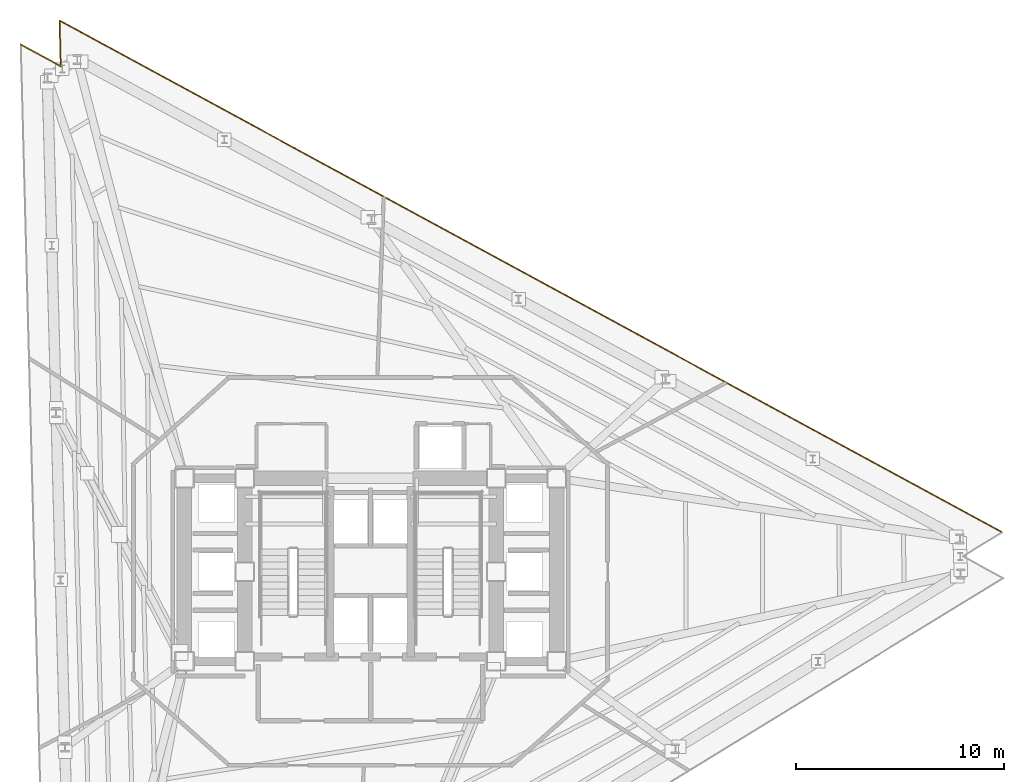
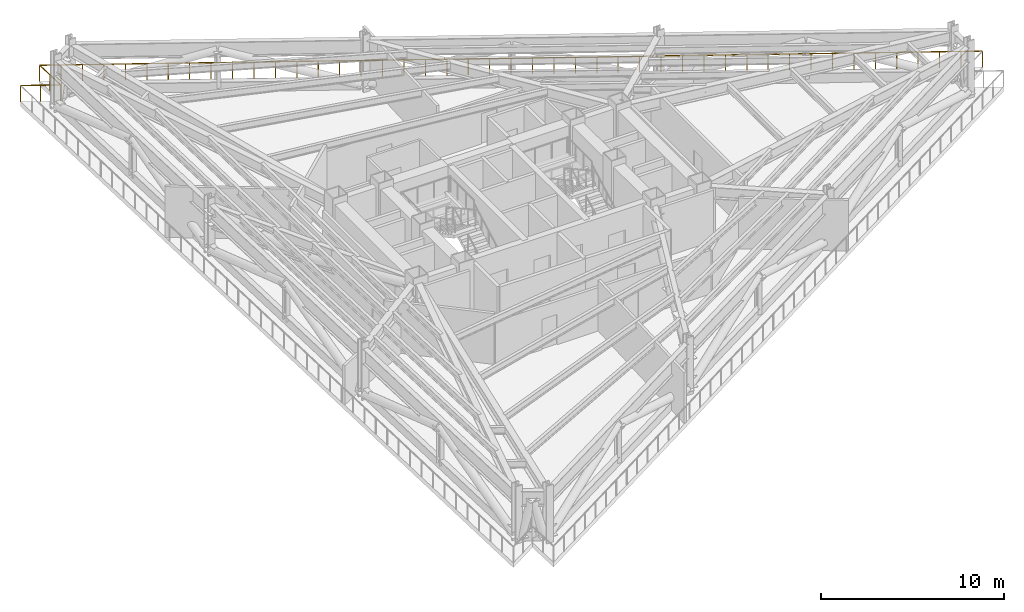
# One storey, part 10 of 10: 3 railings.
"""IFC4 building model written with IfcOpenShell, lengths in metres."""

from ifc_helpers import new_model, si_unit, direction, frame, origin, origin_2d, place, context, subcontext, project, spatial, rectangle, extrude, material, layer, layer_set, type_object, element, save


model = new_model("IFC4")

# Units and contexts
model_context = context("Model", 3, precision=1e-05, world=origin(), true_north=direction((0.0, 1.0)))
body_context = subcontext(model_context, "Body", "Model", "MODEL_VIEW")
ifc_project = project(units=[si_unit("LENGTHUNIT", "METRE"), si_unit("AREAUNIT", "SQUARE_METRE"), si_unit("VOLUMEUNIT", "CUBIC_METRE"), si_unit("PLANEANGLEUNIT", "RADIAN"), si_unit("MASSUNIT", "GRAM", prefix="KILO")], contexts=[model_context])

# Site, building, storey
site_placement = place(None, origin())
site = spatial("IfcSite", under=ifc_project, at=site_placement, CompositionType="ELEMENT")
building_placement = place(site_placement, origin())
building = spatial("IfcBuilding", under=site, at=building_placement, Name="Rocaltana Carrier Exchange", CompositionType="ELEMENT")
storey_placement = place(building_placement, frame((0.0, 0.0, 45.760009765625)))
storey = spatial("IfcBuildingStorey", under=building, at=storey_placement, Name="L14", CompositionType="ELEMENT", Elevation=45.760009765625)

# Railings
ifc_material = material(Name="Powder-Coated Aluminium 6063-T6", Category="aluminium")
ifc_layer = layer(ifc_material, 0.06005859375)
ifc_layer_set = layer_set([ifc_layer], Name="Powder-Coated Aluminium 6063-T6")
railing_type = type_object("IfcRailingType", Name="Wind-Floor & Terrace Perimeter Guardrail 1100", PredefinedType="GUARDRAIL", material=ifc_layer_set)
railing_1_placement = place(storey_placement, frame((30.38720703125, 1.89599609375, 0.0)))
element("IfcRailing", 1, at=railing_1_placement, inside=storey, type_object=railing_type, Name="L14 Wind Perimeter Guardrail 3", PredefinedType="GUARDRAIL", context=body_context, shape_type="SweptSolid", body=[
    extrude(rectangle(XDim=0.048095703125, YDim=0.048095703125, at=origin_2d()), frame((0.0, 0.0, 1.076171875), z_axis=(-0.878815395678, 0.477161922538, 0.0), x_axis=(-0.477161922538, -0.878815395678, 0.0)), (0.0, 0.0, 1.0), 51.60009765625),
    extrude(rectangle(XDim=0.0419921875, YDim=0.0419921875, at=origin_2d()), origin(), (0.0, 0.0, 1.0), 1.052001953125),
    extrude(rectangle(XDim=0.0419921875, YDim=0.0419921875, at=origin_2d()), frame((-1.030517578125, 0.5595703125, 0.0)), (0.0, 0.0, 1.0), 1.052001953125),
    extrude(rectangle(XDim=0.0419921875, YDim=0.0419921875, at=origin_2d()), frame((-2.061279296875, 1.119140625, 0.0)), (0.0, 0.0, 1.0), 1.052001953125),
    extrude(rectangle(XDim=0.0419921875, YDim=0.0419921875, at=origin_2d()), frame((-3.091796875, 1.6787109375, 0.0)), (0.0, 0.0, 1.0), 1.052001953125),
    extrude(rectangle(XDim=0.0419921875, YDim=0.0419921875, at=origin_2d()), frame((-4.12255859375, 2.23828125, 0.0)), (0.0, 0.0, 1.0), 1.052001953125),
    extrude(rectangle(XDim=0.0419921875, YDim=0.0419921875, at=origin_2d()), frame((-5.153076171875, 2.7978515625, 0.0)), (0.0, 0.0, 1.0), 1.052001953125),
    extrude(rectangle(XDim=0.0419921875, YDim=0.0419921875, at=origin_2d()), frame((-6.18359375, 3.357421875, 0.0)), (0.0, 0.0, 1.0), 1.052001953125),
    extrude(rectangle(XDim=0.0419921875, YDim=0.0419921875, at=origin_2d()), frame((-7.21435546875, 3.9169921875, 0.0)), (0.0, 0.0, 1.0), 1.052001953125),
    extrude(rectangle(XDim=0.0419921875, YDim=0.0419921875, at=origin_2d()), frame((-8.244873046875, 4.4765625, 0.0)), (0.0, 0.0, 1.0), 1.052001953125),
    extrude(rectangle(XDim=0.0419921875, YDim=0.0419921875, at=origin_2d()), frame((-9.275390625, 5.0361328125, 0.0)), (0.0, 0.0, 1.0), 1.052001953125),
    extrude(rectangle(XDim=0.0419921875, YDim=0.0419921875, at=origin_2d()), frame((-10.30615234375, 5.595703125, 0.0)), (0.0, 0.0, 1.0), 1.052001953125),
    extrude(rectangle(XDim=0.0419921875, YDim=0.0419921875, at=origin_2d()), frame((-11.336669921875, 6.1552734375, 0.0)), (0.0, 0.0, 1.0), 1.052001953125),
    extrude(rectangle(XDim=0.0419921875, YDim=0.0419921875, at=origin_2d()), frame((-12.367431640625, 6.715087890625, 0.0)), (0.0, 0.0, 1.0), 1.052001953125),
    extrude(rectangle(XDim=0.0419921875, YDim=0.0419921875, at=origin_2d()), frame((-13.39794921875, 7.274658203125, 0.0)), (0.0, 0.0, 1.0), 1.052001953125),
    extrude(rectangle(XDim=0.0419921875, YDim=0.0419921875, at=origin_2d()), frame((-14.428466796875, 7.834228515625, 0.0)), (0.0, 0.0, 1.0), 1.052001953125),
    extrude(rectangle(XDim=0.0419921875, YDim=0.0419921875, at=origin_2d()), frame((-15.459228515625, 8.393798828125, 0.0)), (0.0, 0.0, 1.0), 1.052001953125),
    extrude(rectangle(XDim=0.0419921875, YDim=0.0419921875, at=origin_2d()), frame((-16.48974609375, 8.953369140625, 0.0)), (0.0, 0.0, 1.0), 1.052001953125),
    extrude(rectangle(XDim=0.0419921875, YDim=0.0419921875, at=origin_2d()), frame((-17.5205078125, 9.512939453125, 0.0)), (0.0, 0.0, 1.0), 1.052001953125),
    extrude(rectangle(XDim=0.0419921875, YDim=0.0419921875, at=origin_2d()), frame((-18.551025390625, 10.072509765625, 0.0)), (0.0, 0.0, 1.0), 1.052001953125),
    extrude(rectangle(XDim=0.0419921875, YDim=0.0419921875, at=origin_2d()), frame((-19.58154296875, 10.632080078125, 0.0)), (0.0, 0.0, 1.0), 1.052001953125),
    extrude(rectangle(XDim=0.0419921875, YDim=0.0419921875, at=origin_2d()), frame((-20.6123046875, 11.191650390625, 0.0)), (0.0, 0.0, 1.0), 1.052001953125),
    extrude(rectangle(XDim=0.0419921875, YDim=0.0419921875, at=origin_2d()), frame((-21.642822265625, 11.751220703125, 0.0)), (0.0, 0.0, 1.0), 1.052001953125),
    extrude(rectangle(XDim=0.0419921875, YDim=0.0419921875, at=origin_2d()), frame((-22.67333984375, 12.310791015625, 0.0)), (0.0, 0.0, 1.0), 1.052001953125),
    extrude(rectangle(XDim=0.0419921875, YDim=0.0419921875, at=origin_2d()), frame((-23.7041015625, 12.870361328125, 0.0)), (0.0, 0.0, 1.0), 1.052001953125),
    extrude(rectangle(XDim=0.0419921875, YDim=0.0419921875, at=origin_2d()), frame((-24.734619140625, 13.429931640625, 0.0)), (0.0, 0.0, 1.0), 1.052001953125),
    extrude(rectangle(XDim=0.0419921875, YDim=0.0419921875, at=origin_2d()), frame((-25.765380859375, 13.989501953125, 0.0)), (0.0, 0.0, 1.0), 1.052001953125),
    extrude(rectangle(XDim=0.0419921875, YDim=0.0419921875, at=origin_2d()), frame((-26.7958984375, 14.549072265625, 0.0)), (0.0, 0.0, 1.0), 1.052001953125),
    extrude(rectangle(XDim=0.0419921875, YDim=0.0419921875, at=origin_2d()), frame((-27.826416015625, 15.108642578125, 0.0)), (0.0, 0.0, 1.0), 1.052001953125),
    extrude(rectangle(XDim=0.0419921875, YDim=0.0419921875, at=origin_2d()), frame((-28.857177734375, 15.668212890625, 0.0)), (0.0, 0.0, 1.0), 1.052001953125),
    extrude(rectangle(XDim=0.0419921875, YDim=0.0419921875, at=origin_2d()), frame((-29.8876953125, 16.227783203125, 0.0)), (0.0, 0.0, 1.0), 1.052001953125),
    extrude(rectangle(XDim=0.0419921875, YDim=0.0419921875, at=origin_2d()), frame((-30.91845703125, 16.787353515625, 0.0)), (0.0, 0.0, 1.0), 1.052001953125),
    extrude(rectangle(XDim=0.0419921875, YDim=0.0419921875, at=origin_2d()), frame((-31.948974609375, 17.346923828125, 0.0)), (0.0, 0.0, 1.0), 1.052001953125),
    extrude(rectangle(XDim=0.0419921875, YDim=0.0419921875, at=origin_2d()), frame((-32.9794921875, 17.906494140625, 0.0)), (0.0, 0.0, 1.0), 1.052001953125),
    extrude(rectangle(XDim=0.0419921875, YDim=0.0419921875, at=origin_2d()), frame((-34.01025390625, 18.46630859375, 0.0)), (0.0, 0.0, 1.0), 1.052001953125),
    extrude(rectangle(XDim=0.0419921875, YDim=0.0419921875, at=origin_2d()), frame((-35.040771484375, 19.02587890625, 0.0)), (0.0, 0.0, 1.0), 1.052001953125),
    extrude(rectangle(XDim=0.0419921875, YDim=0.0419921875, at=origin_2d()), frame((-36.071533203125, 19.58544921875, 0.0)), (0.0, 0.0, 1.0), 1.052001953125),
    extrude(rectangle(XDim=0.0419921875, YDim=0.0419921875, at=origin_2d()), frame((-37.10205078125, 20.14501953125, 0.0)), (0.0, 0.0, 1.0), 1.052001953125),
    extrude(rectangle(XDim=0.0419921875, YDim=0.0419921875, at=origin_2d()), frame((-38.132568359375, 20.70458984375, 0.0)), (0.0, 0.0, 1.0), 1.052001953125),
    extrude(rectangle(XDim=0.0419921875, YDim=0.0419921875, at=origin_2d()), frame((-39.163330078125, 21.26416015625, 0.0)), (0.0, 0.0, 1.0), 1.052001953125),
    extrude(rectangle(XDim=0.0419921875, YDim=0.0419921875, at=origin_2d()), frame((-40.19384765625, 21.82373046875, 0.0)), (0.0, 0.0, 1.0), 1.052001953125),
    extrude(rectangle(XDim=0.0419921875, YDim=0.0419921875, at=origin_2d()), frame((-41.224365234375, 22.38330078125, 0.0)), (0.0, 0.0, 1.0), 1.052001953125),
    extrude(rectangle(XDim=0.0419921875, YDim=0.0419921875, at=origin_2d()), frame((-42.255126953125, 22.94287109375, 0.0)), (0.0, 0.0, 1.0), 1.052001953125),
    extrude(rectangle(XDim=0.0419921875, YDim=0.0419921875, at=origin_2d()), frame((-43.28564453125, 23.50244140625, 0.0)), (0.0, 0.0, 1.0), 1.052001953125),
    extrude(rectangle(XDim=0.0419921875, YDim=0.0419921875, at=origin_2d()), frame((-44.31640625, 24.06201171875, 0.0)), (0.0, 0.0, 1.0), 1.052001953125),
    extrude(rectangle(XDim=0.0419921875, YDim=0.0419921875, at=origin_2d()), frame((-45.346923828125, 24.62158203125, 0.0)), (0.0, 0.0, 1.0), 1.052001953125),
])
railing_2_placement = place(storey_placement, frame((-14.959716796875, 26.517578125, 0.0)))
element("IfcRailing", 2, at=railing_2_placement, inside=storey, type_object=railing_type, Name="L14 Wind Perimeter Guardrail 4", PredefinedType="GUARDRAIL", context=body_context, shape_type="SweptSolid", body=[
    extrude(rectangle(XDim=0.048095703125, YDim=0.048095703125, at=origin_2d()), frame((0.0, 0.0, 1.076171875), z_axis=(0.026187042546, -0.999657060598, 0.0), x_axis=(0.999657060598, 0.026187042546, 0.0)), (0.0, 0.0, 1.0), 2.2001953125),
    extrude(rectangle(XDim=0.0419921875, YDim=0.0419921875, at=origin_2d()), origin(), (0.0, 0.0, 1.0), 1.052001953125),
    extrude(rectangle(XDim=0.0419921875, YDim=0.0419921875, at=origin_2d()), frame((0.02880859375, -1.099609375, 0.0)), (0.0, 0.0, 1.0), 1.052001953125),
    extrude(rectangle(XDim=0.0419921875, YDim=0.0419921875, at=origin_2d()), frame((0.0576171875, -2.199462890625, 0.0)), (0.0, 0.0, 1.0), 1.052001953125),
])
railing_3_placement = place(storey_placement, frame((-14.902099609375, 24.318115234375, 0.0)))
element("IfcRailing", 3, at=railing_3_placement, inside=storey, type_object=railing_type, Name="L14 Wind Perimeter Guardrail 5", PredefinedType="GUARDRAIL", context=body_context, shape_type="SweptSolid", body=[
    extrude(rectangle(XDim=0.048095703125, YDim=0.048095703125, at=origin_2d()), frame((0.0, 0.0, 1.076171875), z_axis=(-0.878826843962, 0.477140836999, 0.0), x_axis=(-0.477140836999, -0.878826843962, 0.0)), (0.0, 0.0, 1.0), 2.2001953125),
    extrude(rectangle(XDim=0.0419921875, YDim=0.0419921875, at=origin_2d()), origin(), (0.0, 0.0, 1.0), 1.052001953125),
    extrude(rectangle(XDim=0.0419921875, YDim=0.0419921875, at=origin_2d()), frame((-0.966796875, 0.52490234375, 0.0)), (0.0, 0.0, 1.0), 1.052001953125),
    extrude(rectangle(XDim=0.0419921875, YDim=0.0419921875, at=origin_2d()), frame((-1.93359375, 1.0498046875, 0.0)), (0.0, 0.0, 1.0), 1.052001953125),
])

save(model, "model.ifc")
